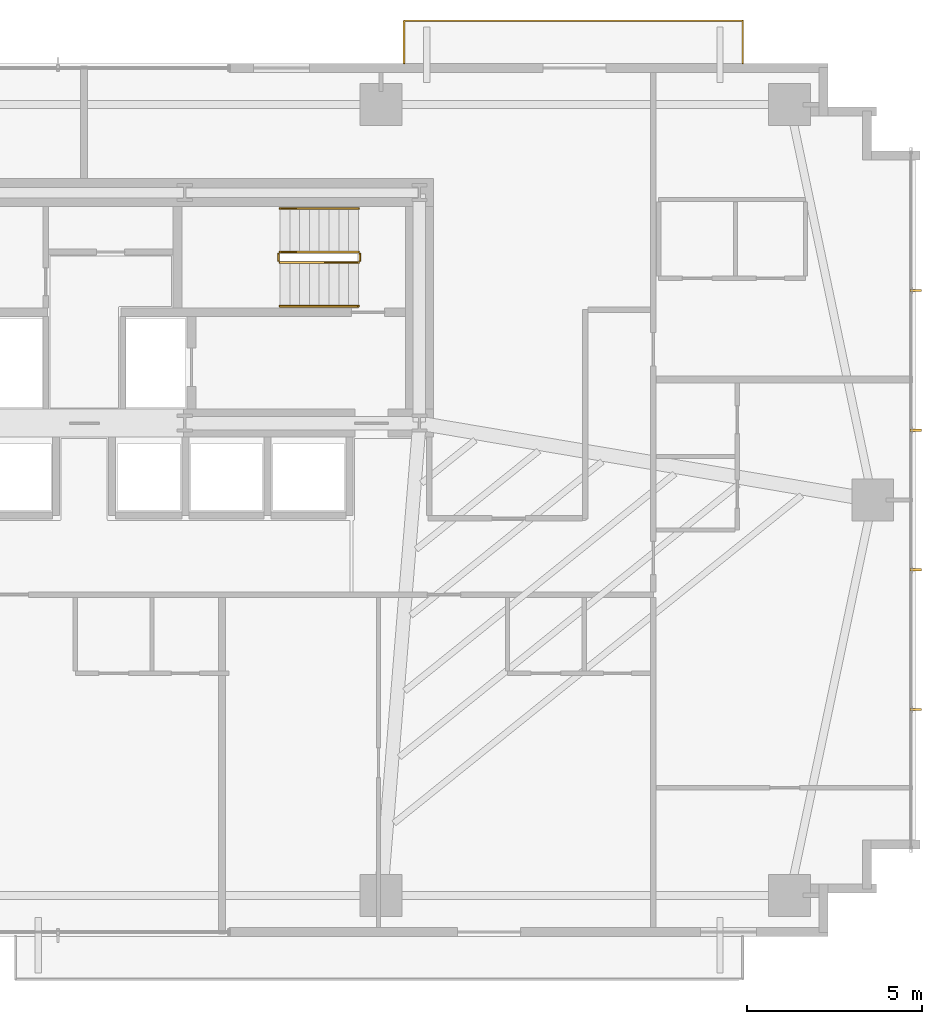
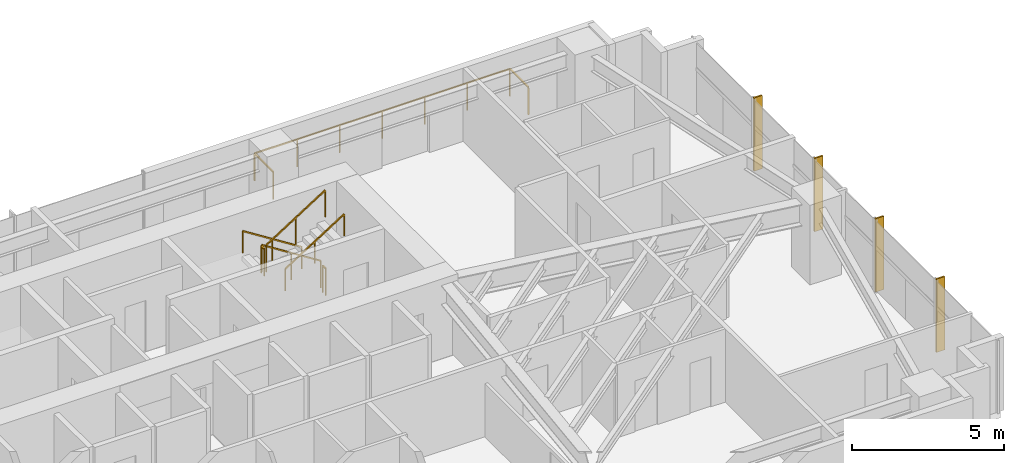
# One storey, part 25 of 25: 7 railings, 4 shading devices.
"""IFC4 building model written with IfcOpenShell, lengths in metres."""

from ifc_helpers import new_model, si_unit, direction, frame, origin, origin_2d, place, context, subcontext, project, spatial, rectangle, extrude, source, transform, mapped, material, type_object, type_shapes, element, save


model = new_model("IFC4")

# Units and contexts
model_context = context("Model", 3, precision=1e-05, world=origin(), true_north=direction((0.0, 1.0)))
body_context = subcontext(model_context, "Body", "Model", "MODEL_VIEW")
ifc_project = project(units=[si_unit("LENGTHUNIT", "METRE"), si_unit("AREAUNIT", "SQUARE_METRE"), si_unit("VOLUMEUNIT", "CUBIC_METRE"), si_unit("PLANEANGLEUNIT", "RADIAN"), si_unit("MASSUNIT", "GRAM", prefix="KILO")], contexts=[model_context])

# Site, building, storey
site_placement = place(None, origin())
site = spatial("IfcSite", under=ifc_project, at=site_placement, CompositionType="ELEMENT")
building_placement = place(site_placement, origin())
building = spatial("IfcBuilding", under=site, at=building_placement, Name="Astriad Promenade Condominiums", CompositionType="ELEMENT")
storey_placement = place(building_placement, frame((0.0, 0.0, 61.39990234375)))
storey = spatial("IfcBuildingStorey", under=building, at=storey_placement, Name="L17", CompositionType="ELEMENT", Elevation=61.39990234375)

# Shading devices
ifc_material_1 = material(Name="Anodised aluminium 6063-T6 Black Fin", Category="aluminium")
shading_device_type = type_object("IfcShadingDeviceType", Name="FIN-BLACK-320", PredefinedType="USERDEFINED", material=ifc_material_1)
shared_shape_1 = source(origin(), body_context, "Body", "SweptSolid", [
    extrude(rectangle(XDim=0.06494140625, YDim=0.320068359375, at=origin_2d()), origin(), (0.0, 0.0, 1.0), 2.93994140625),
])
type_shapes(shading_device_type, [shared_shape_1])
for number, where, z_axis, x_axis, name in (
    (1, (59.81005859375, 21.199951171875, 0.000244140625), (0.0, 0.0, 1.0), (0.0, -1.0, 0.0), "CW-L17-E-FIN-01"),
    (2, (59.81005859375, 17.199951171875, 0.000244140625), (0.0, 0.0, 1.0), (0.0, -1.0, 0.0), "CW-L17-E-FIN-02"),
    (3, (59.81005859375, 13.199951171875, 0.000244140625), (0.0, 0.0, 1.0), (0.0, -1.0, 0.0), "CW-L17-E-FIN-03"),
    (4, (59.81005859375, 9.199951171875, 0.000244140625), (0.0, 0.0, 1.0), (0.0, -1.0, 0.0), "CW-L17-E-FIN-04"),
):
    element("IfcShadingDevice", number, at=place(storey_placement, frame(where, z_axis=z_axis, x_axis=x_axis)), inside=storey, type_object=shading_device_type, Name=name, ObjectType="FIN", PredefinedType="USERDEFINED", context=body_context, shape_type="MappedRepresentation", body=[
        mapped(shared_shape_1, transform((0.0, 0.0, 0.0), scale=1.0)),
    ])

# Railings
ifc_material_2 = material(Name="Laminated Glass and Stainless Steel Balustrade", Category="steel")
railing_type_1 = type_object("IfcRailingType", Name="GRD-BALC-1120", PredefinedType="BALUSTRADE", material=ifc_material_2)
shared_shape_2 = source(origin(), body_context, "Body", "SweptSolid", [
    extrude(rectangle(XDim=0.048095703125, YDim=0.048095703125, at=origin_2d()), frame((0.0, 0.0, 1.09619140625), z_axis=(0.0, 1.0, 0.0), x_axis=(-1.0, 0.0, 0.0)), (0.0, 0.0, 1.0), 1.219970703125),
    extrude(rectangle(XDim=0.048095703125, YDim=0.048095703125, at=origin_2d()), frame((0.0, 1.219970703125, 1.09619140625), z_axis=(-1.0, 0.0, 0.0), x_axis=(0.0, -1.0, 0.0)), (0.0, 0.0, 1.0), 9.696044921875),
    extrude(rectangle(XDim=0.048095703125, YDim=0.048095703125, at=origin_2d()), frame((-9.696044921875, 1.219970703125, 1.09619140625), z_axis=(0.0, -1.0, 0.0), x_axis=(1.0, 0.0, 0.0)), (0.0, 0.0, 1.0), 1.219970703125),
    extrude(rectangle(XDim=0.0419921875, YDim=0.0419921875, at=origin_2d()), origin(), (0.0, 0.0, 1.0), 1.072021484375),
    extrude(rectangle(XDim=0.0419921875, YDim=0.0419921875, at=origin_2d()), frame((0.0, 1.219970703125, 0.0)), (0.0, 0.0, 1.0), 1.072021484375),
    extrude(rectangle(XDim=0.0419921875, YDim=0.0419921875, at=origin_2d()), frame((-1.615966796875, 1.219970703125, 0.0)), (0.0, 0.0, 1.0), 1.072021484375),
    extrude(rectangle(XDim=0.0419921875, YDim=0.0419921875, at=origin_2d()), frame((-3.23193359375, 1.219970703125, 0.0)), (0.0, 0.0, 1.0), 1.072021484375),
    extrude(rectangle(XDim=0.0419921875, YDim=0.0419921875, at=origin_2d()), frame((-4.84814453125, 1.219970703125, 0.0)), (0.0, 0.0, 1.0), 1.072021484375),
    extrude(rectangle(XDim=0.0419921875, YDim=0.0419921875, at=origin_2d()), frame((-6.464111328125, 1.219970703125, 0.0)), (0.0, 0.0, 1.0), 1.072021484375),
    extrude(rectangle(XDim=0.0419921875, YDim=0.0419921875, at=origin_2d()), frame((-8.080078125, 1.219970703125, 0.0)), (0.0, 0.0, 1.0), 1.072021484375),
    extrude(rectangle(XDim=0.0419921875, YDim=0.0419921875, at=origin_2d()), frame((-9.696044921875, 1.219970703125, 0.0)), (0.0, 0.0, 1.0), 1.072021484375),
    extrude(rectangle(XDim=0.0419921875, YDim=0.0419921875, at=origin_2d()), frame((-9.696044921875, 0.0, 0.0)), (0.0, 0.0, 1.0), 1.072021484375),
])
type_shapes(railing_type_1, [shared_shape_2])
railing_1_placement = place(storey_placement, frame((54.85595703125, 27.699951171875, 0.0)))
element("IfcRailing", 5, at=railing_1_placement, inside=storey, type_object=railing_type_1, Name="GRD-BALC-L17-NE", PredefinedType="BALUSTRADE", context=body_context, shape_type="MappedRepresentation", body=[
    mapped(shared_shape_2, transform((0.0, 0.0, 0.0), scale=1.0)),
])
ifc_material_3 = material(Name="Painted Galvanised Steel Guardrail", Category="steel")
railing_type_2 = type_object("IfcRailingType", Name="GRD-STAIR-1100", PredefinedType="GUARDRAIL", material=ifc_material_3)
shared_shape_3 = source(origin(), body_context, "Body", "SweptSolid", [
    extrude(rectangle(XDim=0.048095703125, YDim=0.048095703125, at=origin_2d()), frame((0.0, 0.0, 1.076171875), z_axis=(0.84418770128, 0.0, 0.536047689118), x_axis=(0.0, 1.0, 0.0)), (0.0, 0.0, 1.0), 2.6533203125),
    extrude(rectangle(XDim=0.0419921875, YDim=0.0419921875, at=origin_2d()), origin(), (0.0, 0.0, 1.0), 1.052001953125),
    extrude(rectangle(XDim=0.0419921875, YDim=0.0419921875, at=origin_2d()), frame((1.1201171875, 0.0, 0.711181640625)), (0.0, 0.0, 1.0), 1.052001953125),
    extrude(rectangle(XDim=0.0419921875, YDim=0.0419921875, at=origin_2d()), frame((2.239990234375, 0.0, 1.42236328125)), (0.0, 0.0, 1.0), 1.052001953125),
])
railing_2_placement = place(storey_placement, frame((41.610107421875, 22.0, 1.77783203125)))
element("IfcRailing", 6, at=railing_2_placement, inside=storey, type_object=railing_type_2, Name="L17 ST-2 stair guard 3", PredefinedType="GUARDRAIL", context=body_context, shape_type="MappedRepresentation", body=[
    mapped(shared_shape_3, transform((0.0, 0.0, 0.0), scale=1.0)),
])
shared_shape_4 = source(origin(), body_context, "Body", "SweptSolid", [
    extrude(rectangle(XDim=0.048095703125, YDim=0.048095703125, at=origin_2d()), frame((0.0, 0.0, 1.076171875), z_axis=(-0.8442293374, 0.0, 0.53598211339), x_axis=(0.0, -1.0, 0.0)), (0.0, 0.0, 1.0), 2.6533203125),
    extrude(rectangle(XDim=0.0419921875, YDim=0.0419921875, at=origin_2d()), origin(), (0.0, 0.0, 1.0), 1.052001953125),
    extrude(rectangle(XDim=0.0419921875, YDim=0.0419921875, at=origin_2d()), frame((-1.1201171875, 0.0, 0.7109375)), (0.0, 0.0, 1.0), 1.052001953125),
    extrude(rectangle(XDim=0.0419921875, YDim=0.0419921875, at=origin_2d()), frame((-2.239990234375, 0.0, 1.422119140625)), (0.0, 0.0, 1.0), 1.052001953125),
])
railing_3_placement = place(storey_placement, frame((43.85009765625, 22.300048828125, 0.177978515625)))
element("IfcRailing", 7, at=railing_3_placement, inside=storey, type_object=railing_type_2, Name="L17 ST-2 stair guard 1", PredefinedType="GUARDRAIL", context=body_context, shape_type="MappedRepresentation", body=[
    mapped(shared_shape_4, transform((0.0, 0.0, 0.0), scale=1.0)),
])
ifc_material_4 = material(Name="Brushed Stainless Steel Handrail", Category="steel")
railing_type_3 = type_object("IfcRailingType", Name="HRL-STAIR-920", PredefinedType="HANDRAIL", material=ifc_material_4)
shared_shape_5 = source(origin(), body_context, "Body", "SweptSolid", [
    extrude(rectangle(XDim=0.048095703125, YDim=0.048095703125, at=origin_2d()), frame((0.0, 0.0, 0.8759765625), z_axis=(0.84418770128, 0.0, 0.536047689118), x_axis=(0.0, 1.0, 0.0)), (0.0, 0.0, 1.0), 2.6533203125),
    extrude(rectangle(XDim=0.0419921875, YDim=0.0419921875, at=origin_2d()), origin(), (0.0, 0.0, 1.0), 0.851806640625),
    extrude(rectangle(XDim=0.0419921875, YDim=0.0419921875, at=origin_2d()), frame((1.1201171875, 0.0, 0.711181640625)), (0.0, 0.0, 1.0), 0.851806640625),
    extrude(rectangle(XDim=0.0419921875, YDim=0.0419921875, at=origin_2d()), frame((2.239990234375, 0.0, 1.42236328125)), (0.0, 0.0, 1.0), 0.851806640625),
])
railing_4_placement = place(storey_placement, frame((41.610107421875, 20.75, 1.77783203125)))
element("IfcRailing", 8, at=railing_4_placement, inside=storey, type_object=railing_type_3, Name="L17 ST-2 stair handrail 2", PredefinedType="HANDRAIL", context=body_context, shape_type="MappedRepresentation", body=[
    mapped(shared_shape_5, transform((0.0, 0.0, 0.0), scale=1.0)),
])
shared_shape_6 = source(origin(), body_context, "Body", "SweptSolid", [
    extrude(rectangle(XDim=0.048095703125, YDim=0.048095703125, at=origin_2d()), frame((0.0, 0.0, 0.8759765625), z_axis=(-0.8442293374, 0.0, 0.53598211339), x_axis=(0.0, -1.0, 0.0)), (0.0, 0.0, 1.0), 2.6533203125),
    extrude(rectangle(XDim=0.0419921875, YDim=0.0419921875, at=origin_2d()), origin(), (0.0, 0.0, 1.0), 0.851806640625),
    extrude(rectangle(XDim=0.0419921875, YDim=0.0419921875, at=origin_2d()), frame((-1.1201171875, 0.0, 0.7109375)), (0.0, 0.0, 1.0), 0.851806640625),
    extrude(rectangle(XDim=0.0419921875, YDim=0.0419921875, at=origin_2d()), frame((-2.239990234375, 0.0, 1.422119140625)), (0.0, 0.0, 1.0), 0.851806640625),
])
type_shapes(railing_type_3, [shared_shape_5, shared_shape_6])
railing_5_placement = place(storey_placement, frame((43.85009765625, 23.550048828125, 0.177978515625)))
element("IfcRailing", 9, at=railing_5_placement, inside=storey, type_object=railing_type_3, Name="L17 ST-2 stair handrail 1", PredefinedType="HANDRAIL", context=body_context, shape_type="MappedRepresentation", body=[
    mapped(shared_shape_6, transform((0.0, 0.0, 0.0), scale=1.0)),
])
shared_shape_7 = source(origin(), body_context, "Body", "SweptSolid", [
    extrude(rectangle(XDim=0.048095703125, YDim=0.048095703125, at=origin_2d()), frame((0.0, 0.0, 1.076171875), z_axis=(0.0, -1.0, 0.0), x_axis=(1.0, 0.0, 0.0)), (0.0, 0.0, 1.0), 0.199951171875),
    extrude(rectangle(XDim=0.0419921875, YDim=0.0419921875, at=origin_2d()), origin(), (0.0, 0.0, 1.0), 1.052001953125),
    extrude(rectangle(XDim=0.0419921875, YDim=0.0419921875, at=origin_2d()), frame((0.0, -0.199951171875, 0.0)), (0.0, 0.0, 1.0), 1.052001953125),
])
type_shapes(railing_type_2, [shared_shape_3, shared_shape_4, shared_shape_7])
for number, where, name in (
    (10, (41.56005859375, 22.25, 1.60009765625), "L17 ST-2 stair guard 2"),
    (11, (43.89990234375, 22.25, 0.0), "L17 ST-2 stair guard 4"),
):
    element("IfcRailing", number, at=place(storey_placement, frame(where)), inside=storey, type_object=railing_type_2, Name=name, PredefinedType="GUARDRAIL", context=body_context, shape_type="MappedRepresentation", body=[
        mapped(shared_shape_7, transform((0.0, 0.0, 0.0), scale=1.0)),
    ])

save(model, "model.ifc")
